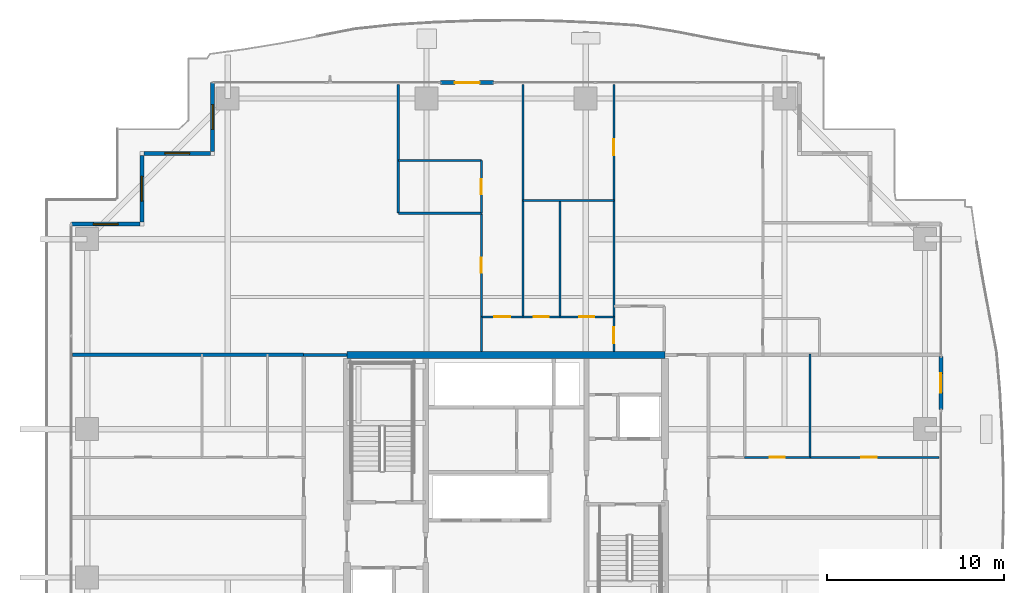
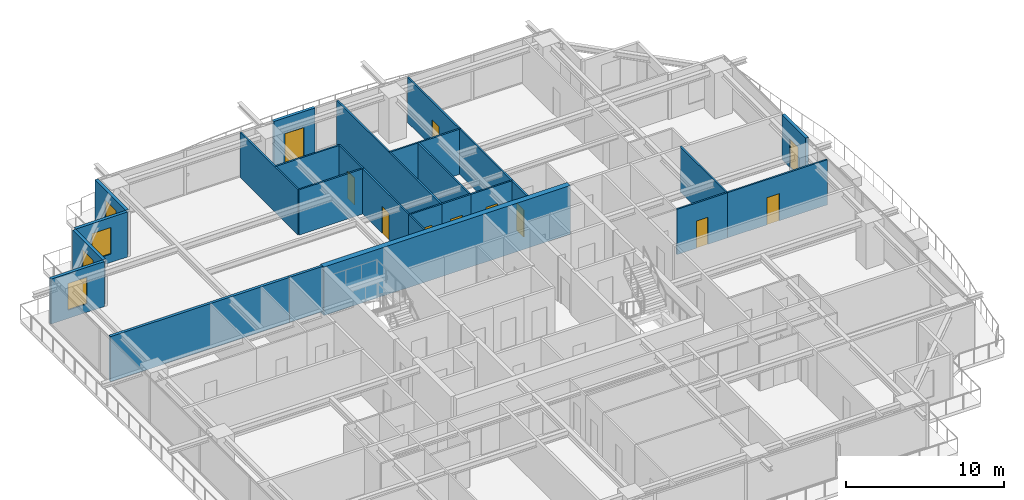
# One storey, part 27 of 34: 27 walls, 11 doors, 4 windows, 15 openings.
"""IFC4 building model written with IfcOpenShell, lengths in metres."""

from ifc_helpers import new_model, si_unit, direction, frame, frame_2d, origin, place, context, subcontext, project, spatial, rectangle, extrude, source, transform, mapped, material, layer, layer_set, type_object, element, fill, save


model = new_model("IFC4")

# Units and contexts
model_context = context("Model", 3, precision=1e-05, world=origin(), true_north=direction((0.0, 1.0)))
body_context = subcontext(model_context, "Body", "Model", "MODEL_VIEW")
ifc_project = project(units=[si_unit("LENGTHUNIT", "METRE"), si_unit("AREAUNIT", "SQUARE_METRE"), si_unit("VOLUMEUNIT", "CUBIC_METRE"), si_unit("PLANEANGLEUNIT", "RADIAN"), si_unit("MASSUNIT", "GRAM", prefix="KILO")], contexts=[model_context])

# Site, building, storey
site_placement = place(None, origin())
site = spatial("IfcSite", under=ifc_project, at=site_placement, CompositionType="ELEMENT")
building_placement = place(site_placement, origin())
building = spatial("IfcBuilding", under=site, at=building_placement, Name="Serunith Strait Residences", CompositionType="ELEMENT")
storey_placement = place(building_placement, frame((0.0, 0.0, 180.14990234375)))
storey = spatial("IfcBuildingStorey", under=building, at=storey_placement, Name="L45", CompositionType="ELEMENT", Elevation=180.14990234375)

# Wall, opening, door
ifc_material_1 = material(Name="Pale-Champagne Aluminium Insulated Panel", Category="aluminium")
ifc_layer_1 = layer(ifc_material_1, 0.219970703125, Name="Pale-Champagne Aluminium Insulated Panel")
ifc_layer_set_1 = layer_set([ifc_layer_1], Name="Pale-Champagne Aluminium Insulated Panel")
wall_type_1 = type_object("IfcWallType", Name="EW-ALUM-220", PredefinedType="ELEMENTEDWALL", material=ifc_layer_set_1)
wall_1_placement = place(storey_placement, frame((57.0, 30.5, 0.0), z_axis=(0.0, 0.0, 1.0), x_axis=(0.0, 1.0, 0.0)))
wall_1 = element("IfcWall", 1, at=wall_1_placement, inside=storey, type_object=wall_type_1, Name="L45 E Facade Pier Wall", PredefinedType="ELEMENTEDWALL", context=body_context, shape_type="SweptSolid", body=[
    extrude(rectangle(XDim=3.0, YDim=0.219970703125, at=frame_2d((1.5, 0.0))), origin(), (0.0, 0.0, 1.0), 3.47509765625),
])
opening_1_placement = place(wall_1_placement, frame((0.949951171875, 0.0, 0.0)))
opening_1 = element("IfcOpeningElement", 2, at=opening_1_placement, cuts=wall_1, Name="Opening ED-03", PredefinedType="OPENING", context=body_context, shape_type="SweptSolid", body=[
    extrude(rectangle(XDim=1.10009765625, YDim=2.199951171875, at=frame_2d((0.550048828125, 1.10009765625))), frame((0.0, 0.1201171875, 0.0), z_axis=(0.0, -1.0, 0.0), x_axis=(1.0, 0.0, 0.0)), (0.0, 0.0, 1.0), 0.239990234375),
])
ifc_material_2 = material(Name="Thermally-Broken Aluminium Glazed Balcony Door", Category="aluminium")
door_type_1 = type_object("IfcDoorType", Name="ED-BALC-1100", OperationType="NOTDEFINED", PredefinedType="DOOR", material=ifc_material_2)
shared_shape_1 = source(origin(), body_context, "Body", "SweptSolid", [
    extrude(rectangle(XDim=1.10009765625, YDim=2.199951171875, at=frame_2d((0.550048828125, 1.10009765625))), frame((0.0, 0.02490234375, 0.0), z_axis=(0.0, -1.0, 0.0), x_axis=(1.0, 0.0, 0.0)), (0.0, 0.0, 1.0), 0.050048828125),
])
door_1_placement = place(opening_1_placement, origin())
door_1 = element("IfcDoor", 3, at=door_1_placement, inside=storey, type_object=door_type_1, Name="L45 E Vertical-Forest Balcony Door", OperationType="SINGLE_SWING_RIGHT", OverallHeight=2.199951171875, OverallWidth=1.10009765625, PredefinedType="DOOR", context=body_context, shape_type="MappedRepresentation", body=[
    mapped(shared_shape_1, transform((0.0, 0.0, 0.0), scale=1.0)),
])
fill(opening_1, door_1)

wall_2_placement = place(storey_placement, frame((31.699951171875, 49.0, 0.0), z_axis=(0.0, 0.0, 1.0), x_axis=(-1.0, 0.0, 0.0)))
wall_2 = element("IfcWall", 4, at=wall_2_placement, inside=storey, type_object=wall_type_1, Name="L45 N Facade Pier Wall", PredefinedType="ELEMENTEDWALL", context=body_context, shape_type="SweptSolid", body=[
    extrude(rectangle(XDim=3.0, YDim=0.219970703125, at=frame_2d((1.5, 0.0))), origin(), (0.0, 0.0, 1.0), 3.47509765625),
])
opening_2_placement = place(wall_2_placement, frame((0.800048828125, 0.0, 0.0)))
opening_2 = element("IfcOpeningElement", 5, at=opening_2_placement, cuts=wall_2, Name="Opening ED-04", PredefinedType="OPENING", context=body_context, shape_type="SweptSolid", body=[
    extrude(rectangle(XDim=1.39990234375, YDim=2.25, at=frame_2d((0.699951171875, 1.125))), frame((0.0, 0.1201171875, 0.0), z_axis=(0.0, -1.0, 0.0), x_axis=(1.0, 0.0, 0.0)), (0.0, 0.0, 1.0), 0.239990234375),
])
ifc_material_3 = material(Name="Thermally-Broken Aluminium Sliding Balcony Door", Category="aluminium")
door_type_2 = type_object("IfcDoorType", Name="ED-BALC-1400", OperationType="NOTDEFINED", PredefinedType="DOOR", material=ifc_material_3)
shared_shape_2 = source(origin(), body_context, "Body", "SweptSolid", [
    extrude(rectangle(XDim=1.39990234375, YDim=2.25, at=frame_2d((0.699951171875, 1.125))), frame((0.0, 0.02490234375, 0.0), z_axis=(0.0, -1.0, 0.0), x_axis=(1.0, 0.0, 0.0)), (0.0, 0.0, 1.0), 0.050048828125),
])
door_2_placement = place(opening_2_placement, origin())
door_2 = element("IfcDoor", 6, at=door_2_placement, inside=storey, type_object=door_type_2, Name="L45 N Vertical-Forest Balcony Door", OperationType="SLIDING_TO_LEFT", OverallHeight=2.25, OverallWidth=1.39990234375, PredefinedType="DOOR", context=body_context, shape_type="MappedRepresentation", body=[
    mapped(shared_shape_2, transform((0.0, 0.0, 0.0), scale=1.0)),
])
fill(opening_2, door_2)

# Wall, opening, window
wall_3_placement = place(storey_placement, frame((15.800048828125, 49.0, 0.0), z_axis=(0.0, 0.0, 1.0), x_axis=(0.0, -1.0, 0.0)))
wall_3 = element("IfcWall", 7, at=wall_3_placement, inside=storey, type_object=wall_type_1, Name="L45 Girih Serrated Corner Wall 12", PredefinedType="ELEMENTEDWALL", context=body_context, shape_type="SweptSolid", body=[
    extrude(rectangle(XDim=3.889892578125, YDim=0.219970703125, at=frame_2d((1.94482421875, 0.0))), origin(), (0.0, 0.0, 1.0), 3.47509765625),
])
opening_3_placement = place(wall_3_placement, frame((1.2451171875, 0.0, 0.64990234375)))
opening_3 = element("IfcOpeningElement", 8, at=opening_3_placement, cuts=wall_3, Name="Opening W-03", PredefinedType="OPENING", context=body_context, shape_type="SweptSolid", body=[
    extrude(rectangle(XDim=1.39990234375, YDim=2.050048828125, at=frame_2d((0.699951171875, 1.02490234375))), frame((0.0, 0.1201171875, 0.0), z_axis=(0.0, -1.0, 0.0), x_axis=(1.0, 0.0, 0.0)), (0.0, 0.0, 1.0), 0.239990234375),
])
ifc_material_4 = material(Name="Ceramic-Fritted Operable Aluminium Window Glass", Category="aluminium")
window_type = type_object("IfcWindowType", Name="WIN-C3", PartitioningType="SINGLE_PANEL", PredefinedType="WINDOW", material=ifc_material_4)
shared_shape_3 = source(origin(), body_context, "Body", "SweptSolid", [
    extrude(rectangle(XDim=1.39990234375, YDim=2.050048828125, at=frame_2d((0.699951171875, 1.02490234375))), frame((0.0, 0.030029296875, 0.0), z_axis=(0.0, -1.0, 0.0), x_axis=(1.0, 0.0, 0.0)), (0.0, 0.0, 1.0), 0.06005859375),
])
window_1_placement = place(opening_3_placement, origin())
window_1 = element("IfcWindow", 9, at=window_1_placement, inside=storey, type_object=window_type, Name="L45 Corner Operable Fritted Window 12", OverallHeight=2.050048828125, OverallWidth=1.39990234375, PartitioningType="SINGLE_PANEL", PredefinedType="WINDOW", context=body_context, shape_type="MappedRepresentation", body=[
    mapped(shared_shape_3, transform((0.0, 0.0, 0.0), scale=1.0)),
])
fill(opening_3, window_1)

wall_4_placement = place(storey_placement, frame((15.68994140625, 45.0, 0.0), z_axis=(0.0, 0.0, 1.0), x_axis=(-1.0, 0.0, 0.0)))
wall_4 = element("IfcWall", 10, at=wall_4_placement, inside=storey, type_object=wall_type_1, Name="L45 Girih Serrated Corner Wall 13", PredefinedType="ELEMENTEDWALL", context=body_context, shape_type="SweptSolid", body=[
    extrude(rectangle(XDim=3.780029296875, YDim=0.219970703125, at=frame_2d((1.89013671875, 0.0))), origin(), (0.0, 0.0, 1.0), 3.47509765625),
])
opening_4_placement = place(wall_4_placement, frame((1.18994140625, 0.0, 0.64990234375)))
opening_4 = element("IfcOpeningElement", 11, at=opening_4_placement, cuts=wall_4, Name="Opening W-03", PredefinedType="OPENING", context=body_context, shape_type="SweptSolid", body=[
    extrude(rectangle(XDim=1.39990234375, YDim=2.050048828125, at=frame_2d((0.699951171875, 1.02490234375))), frame((0.0, 0.1201171875, 0.0), z_axis=(0.0, -1.0, 0.0), x_axis=(1.0, 0.0, 0.0)), (0.0, 0.0, 1.0), 0.239990234375),
])
window_2_placement = place(opening_4_placement, origin())
window_2 = element("IfcWindow", 12, at=window_2_placement, inside=storey, type_object=window_type, Name="L45 Corner Operable Fritted Window 13", OverallHeight=2.050048828125, OverallWidth=1.39990234375, PartitioningType="SINGLE_PANEL", PredefinedType="WINDOW", context=body_context, shape_type="MappedRepresentation", body=[
    mapped(shared_shape_3, transform((0.0, 0.0, 0.0), scale=1.0)),
])
fill(opening_4, window_2)

wall_5_placement = place(storey_placement, frame((11.800048828125, 44.889892578125, 0.0), z_axis=(0.0, 0.0, 1.0), x_axis=(0.0, -1.0, 0.0)))
wall_5 = element("IfcWall", 13, at=wall_5_placement, inside=storey, type_object=wall_type_1, Name="L45 Girih Serrated Corner Wall 14", PredefinedType="ELEMENTEDWALL", context=body_context, shape_type="SweptSolid", body=[
    extrude(rectangle(XDim=3.77978515625, YDim=0.219970703125, at=frame_2d((1.889892578125, 0.0))), origin(), (0.0, 0.0, 1.0), 3.47509765625),
])
opening_5_placement = place(wall_5_placement, frame((1.18994140625, 0.0, 0.64990234375)))
opening_5 = element("IfcOpeningElement", 14, at=opening_5_placement, cuts=wall_5, Name="Opening W-03", PredefinedType="OPENING", context=body_context, shape_type="SweptSolid", body=[
    extrude(rectangle(XDim=1.39990234375, YDim=2.050048828125, at=frame_2d((0.699951171875, 1.02490234375))), frame((0.0, 0.1201171875, 0.0), z_axis=(0.0, -1.0, 0.0), x_axis=(1.0, 0.0, 0.0)), (0.0, 0.0, 1.0), 0.239990234375),
])
window_3_placement = place(opening_5_placement, origin())
window_3 = element("IfcWindow", 15, at=window_3_placement, inside=storey, type_object=window_type, Name="L45 Corner Operable Fritted Window 14", OverallHeight=2.050048828125, OverallWidth=1.39990234375, PartitioningType="SINGLE_PANEL", PredefinedType="WINDOW", context=body_context, shape_type="MappedRepresentation", body=[
    mapped(shared_shape_3, transform((0.0, 0.0, 0.0), scale=1.0)),
])
fill(opening_5, window_3)

wall_6_placement = place(storey_placement, frame((11.68994140625, 41.0, 0.0), z_axis=(0.0, 0.0, 1.0), x_axis=(-1.0, 0.0, 0.0)))
wall_6 = element("IfcWall", 16, at=wall_6_placement, inside=storey, type_object=wall_type_1, Name="L45 Girih Serrated Corner Wall 15", PredefinedType="ELEMENTEDWALL", context=body_context, shape_type="SweptSolid", body=[
    extrude(rectangle(XDim=3.889892578125, YDim=0.219970703125, at=frame_2d((1.94482421875, 0.0))), origin(), (0.0, 0.0, 1.0), 3.47509765625),
])
opening_6_placement = place(wall_6_placement, frame((1.2451171875, 0.0, 0.64990234375)))
opening_6 = element("IfcOpeningElement", 17, at=opening_6_placement, cuts=wall_6, Name="Opening W-03", PredefinedType="OPENING", context=body_context, shape_type="SweptSolid", body=[
    extrude(rectangle(XDim=1.39990234375, YDim=2.050048828125, at=frame_2d((0.699951171875, 1.02490234375))), frame((0.0, 0.1201171875, 0.0), z_axis=(0.0, -1.0, 0.0), x_axis=(1.0, 0.0, 0.0)), (0.0, 0.0, 1.0), 0.239990234375),
])
window_4_placement = place(opening_6_placement, origin())
window_4 = element("IfcWindow", 18, at=window_4_placement, inside=storey, type_object=window_type, Name="L45 Corner Operable Fritted Window 15", OverallHeight=2.050048828125, OverallWidth=1.39990234375, PartitioningType="SINGLE_PANEL", PredefinedType="WINDOW", context=body_context, shape_type="MappedRepresentation", body=[
    mapped(shared_shape_3, transform((0.0, 0.0, 0.0), scale=1.0)),
])
fill(opening_6, window_4)

# Wall
ifc_material_5 = material(Name="Fire-rated acoustic gypsum partition")
ifc_layer_2 = layer(ifc_material_5, 0.179931640625, Name="Fire-rated acoustic gypsum partition")
ifc_layer_set_2 = layer_set([ifc_layer_2], Name="Fire-rated acoustic gypsum partition")
wall_type_2 = type_object("IfcWallType", Name="IW-CORR-180", PredefinedType="PARTITIONING", material=ifc_layer_set_2)
wall_7_placement = place(storey_placement, frame((20.951904296875, 33.60009765625, 0.0), z_axis=(0.0, 0.0, 1.0), x_axis=(1.0, 0.0, 0.0)))
element("IfcWall", 19, at=wall_7_placement, inside=storey, type_object=wall_type_2, Name="L45 Partition Wall 029", PredefinedType="PARTITIONING", context=body_context, shape_type="SweptSolid", body=[
    extrude(rectangle(XDim=2.446044921875, YDim=0.179931640625, at=frame_2d((1.22314453125, 0.0))), origin(), (0.0, 0.0, 1.0), 3.489990234375),
])

# Wall, opening, door
ifc_material_6 = material(Name="Lightweight steel-stud gypsum partition", Category="steel")
ifc_layer_3 = layer(ifc_material_6, 0.1201171875, Name="Lightweight steel-stud gypsum partition")
ifc_layer_set_3 = layer_set([ifc_layer_3], Name="Lightweight steel-stud gypsum partition")
wall_type_3 = type_object("IfcWallType", Name="IW-PART-120", PredefinedType="PARTITIONING", material=ifc_layer_set_3)
wall_8_placement = place(storey_placement, frame((38.5, 35.75, 0.0), z_axis=(0.0, 0.0, 1.0), x_axis=(0.0, -1.0, 0.0)))
wall_8 = element("IfcWall", 20, at=wall_8_placement, inside=storey, type_object=wall_type_3, Name="L45 Partition Wall 056", PredefinedType="PARTITIONING", context=body_context, shape_type="SweptSolid", body=[
    extrude(rectangle(XDim=1.949951171875, YDim=0.1201171875, at=frame_2d((0.97509765625, 0.0))), origin(), (0.0, 0.0, 1.0), 3.489990234375),
])
opening_7_placement = place(wall_8_placement, frame((0.594970703125, 0.0, 0.0)))
opening_7 = element("IfcOpeningElement", 21, at=opening_7_placement, cuts=wall_8, Name="Opening D-RM900", PredefinedType="OPENING", context=body_context, shape_type="SweptSolid", body=[
    extrude(rectangle(XDim=0.89990234375, YDim=2.10009765625, at=frame_2d((0.449951171875, 1.050048828125))), frame((0.0, 0.070068359375, 0.0), z_axis=(0.0, -1.0, 0.0), x_axis=(1.0, 0.0, 0.0)), (0.0, 0.0, 1.0), 0.14013671875),
])
ifc_material_7 = material(Name="Engineered timber flush bedroom door", Category="wood")
door_type_3 = type_object("IfcDoorType", Name="ID-ROOM-900", OperationType="NOTDEFINED", PredefinedType="DOOR", material=ifc_material_7)
shared_shape_4 = source(origin(), body_context, "Body", "SweptSolid", [
    extrude(rectangle(XDim=0.89990234375, YDim=2.10009765625, at=frame_2d((0.449951171875, 1.050048828125))), frame((0.0, 0.02490234375, 0.0), z_axis=(0.0, -1.0, 0.0), x_axis=(1.0, 0.0, 0.0)), (0.0, 0.0, 1.0), 0.050048828125),
])
door_3_placement = place(opening_7_placement, origin())
door_3 = element("IfcDoor", 22, at=door_3_placement, inside=storey, type_object=door_type_3, Name="L45 Hall W 4504 Door", OperationType="SINGLE_SWING_RIGHT", OverallHeight=2.10009765625, OverallWidth=0.89990234375, PredefinedType="DOOR", context=body_context, shape_type="MappedRepresentation", body=[
    mapped(shared_shape_4, transform((0.0, 0.0, 0.0), scale=1.0)),
])
fill(opening_7, door_3)

wall_9_placement = place(storey_placement, frame((38.5, 48.905029296875, 0.0), z_axis=(0.0, 0.0, 1.0), x_axis=(0.0, -1.0, 0.0)))
wall_9 = element("IfcWall", 23, at=wall_9_placement, inside=storey, type_object=wall_type_3, Name="L45 Partition Wall 057", PredefinedType="PARTITIONING", context=body_context, shape_type="SweptSolid", body=[
    extrude(rectangle(XDim=6.568115234375, YDim=0.1201171875, at=frame_2d((3.2841796875, 0.0))), origin(), (0.0, 0.0, 1.0), 3.489990234375),
])
opening_8_placement = place(wall_9_placement, frame((3.116943359375, 0.0, 0.0)))
opening_8 = element("IfcOpeningElement", 24, at=opening_8_placement, cuts=wall_9, Name="Opening D-RM900", PredefinedType="OPENING", context=body_context, shape_type="SweptSolid", body=[
    extrude(rectangle(XDim=0.89990234375, YDim=2.10009765625, at=frame_2d((0.449951171875, 1.050048828125))), frame((0.0, 0.070068359375, 0.0), z_axis=(0.0, -1.0, 0.0), x_axis=(1.0, 0.0, 0.0)), (0.0, 0.0, 1.0), 0.14013671875),
])
door_4_placement = place(opening_8_placement, origin())
door_4 = element("IfcDoor", 25, at=door_4_placement, inside=storey, type_object=door_type_3, Name="L45 Formal Dining Room 1 4504 Door", OperationType="SINGLE_SWING_LEFT", OverallHeight=2.10009765625, OverallWidth=0.89990234375, PredefinedType="DOOR", context=body_context, shape_type="MappedRepresentation", body=[
    mapped(shared_shape_4, transform((0.0, 0.0, 0.0), scale=1.0)),
])
fill(opening_8, door_4)

# Walls
wall_10_placement = place(storey_placement, frame((38.5, 42.3349609375, 0.0), z_axis=(0.0, 0.0, 1.0), x_axis=(0.0, -1.0, 0.0)))
element("IfcWall", 26, at=wall_10_placement, inside=storey, type_object=wall_type_3, Name="L45 Partition Wall 058", PredefinedType="PARTITIONING", context=body_context, shape_type="SweptSolid", body=[
    extrude(rectangle(XDim=6.5830078125, YDim=0.1201171875, at=frame_2d((3.29150390625, 0.0))), origin(), (0.0, 0.0, 1.0), 3.489990234375),
])
wall_11_placement = place(storey_placement, frame((33.35009765625, 42.3369140625, 0.0), z_axis=(0.0, 0.0, 1.0), x_axis=(1.0, 0.0, 0.0)))
element("IfcWall", 27, at=wall_11_placement, inside=storey, type_object=wall_type_3, Name="L45 Partition Wall 059", PredefinedType="PARTITIONING", context=body_context, shape_type="SweptSolid", body=[
    extrude(rectangle(XDim=5.14990234375, YDim=0.1201171875, at=frame_2d((2.574951171875, 0.0))), origin(), (0.0, 0.0, 1.0), 3.489990234375),
])
wall_12_placement = place(storey_placement, frame((33.35009765625, 48.905029296875, 0.0), z_axis=(0.0, 0.0, 1.0), x_axis=(0.0, -1.0, 0.0)))
element("IfcWall", 28, at=wall_12_placement, inside=storey, type_object=wall_type_3, Name="L45 Partition Wall 060", PredefinedType="PARTITIONING", context=body_context, shape_type="SweptSolid", body=[
    extrude(rectangle(XDim=13.155029296875, YDim=0.1201171875, at=frame_2d((6.57763671875, 0.0))), origin(), (0.0, 0.0, 1.0), 3.489990234375),
])
wall_13_placement = place(storey_placement, frame((35.449951171875, 42.3369140625, 0.0), z_axis=(0.0, 0.0, 1.0), x_axis=(0.0, -1.0, 0.0)))
element("IfcWall", 29, at=wall_13_placement, inside=storey, type_object=wall_type_3, Name="L45 Partition Wall 061", PredefinedType="PARTITIONING", context=body_context, shape_type="SweptSolid", body=[
    extrude(rectangle(XDim=6.5869140625, YDim=0.1201171875, at=frame_2d((3.29345703125, 0.0))), origin(), (0.0, 0.0, 1.0), 3.489990234375),
])

# Wall, opening, door
wall_14_placement = place(storey_placement, frame((33.35009765625, 35.75, 0.0), z_axis=(0.0, 0.0, 1.0), x_axis=(1.0, 0.0, 0.0)))
wall_14 = element("IfcWall", 30, at=wall_14_placement, inside=storey, type_object=wall_type_3, Name="L45 Partition Wall 062", PredefinedType="PARTITIONING", context=body_context, shape_type="SweptSolid", body=[
    extrude(rectangle(XDim=2.099853515625, YDim=0.1201171875, at=frame_2d((1.0498046875, 0.0))), origin(), (0.0, 0.0, 1.0), 3.489990234375),
])
opening_9_placement = place(wall_14_placement, frame((0.625, 0.0, 0.0)))
opening_9 = element("IfcOpeningElement", 31, at=opening_9_placement, cuts=wall_14, Name="Opening D-BTH850", PredefinedType="OPENING", context=body_context, shape_type="SweptSolid", body=[
    extrude(rectangle(XDim=0.85009765625, YDim=2.10009765625, at=frame_2d((0.425048828125, 1.050048828125))), frame((0.0, 0.070068359375, 0.0), z_axis=(0.0, -1.0, 0.0), x_axis=(1.0, 0.0, 0.0)), (0.0, 0.0, 1.0), 0.14013671875),
])
ifc_material_8 = material(Name="Moisture-resistant timber bathroom door", Category="wood")
door_type_4 = type_object("IfcDoorType", Name="ID-BATH-850", OperationType="NOTDEFINED", PredefinedType="DOOR", material=ifc_material_8)
shared_shape_5 = source(origin(), body_context, "Body", "SweptSolid", [
    extrude(rectangle(XDim=0.85009765625, YDim=2.10009765625, at=frame_2d((0.425048828125, 1.050048828125))), frame((0.0, 0.02490234375, 0.0), z_axis=(0.0, -1.0, 0.0), x_axis=(1.0, 0.0, 0.0)), (0.0, 0.0, 1.0), 0.050048828125),
])
door_5_placement = place(opening_9_placement, origin())
door_5 = element("IfcDoor", 32, at=door_5_placement, inside=storey, type_object=door_type_4, Name="L45 Bathroom 4504 Door", OperationType="SINGLE_SWING_RIGHT", OverallHeight=2.10009765625, OverallWidth=0.85009765625, PredefinedType="DOOR", context=body_context, shape_type="MappedRepresentation", body=[
    mapped(shared_shape_5, transform((0.0, 0.0, 0.0), scale=1.0)),
])
fill(opening_9, door_5)

wall_15_placement = place(storey_placement, frame((35.451904296875, 35.75, 0.0), z_axis=(0.0, 0.0, 1.0), x_axis=(1.0, 0.0, 0.0)))
wall_15 = element("IfcWall", 33, at=wall_15_placement, inside=storey, type_object=wall_type_3, Name="L45 Partition Wall 063", PredefinedType="PARTITIONING", context=body_context, shape_type="SweptSolid", body=[
    extrude(rectangle(XDim=3.048095703125, YDim=0.1201171875, at=frame_2d((1.52392578125, 0.0))), origin(), (0.0, 0.0, 1.0), 3.489990234375),
])
opening_10_placement = place(wall_15_placement, frame((1.09912109375, 0.0, 0.0)))
opening_10 = element("IfcOpeningElement", 34, at=opening_10_placement, cuts=wall_15, Name="Opening D-RM850", PredefinedType="OPENING", context=body_context, shape_type="SweptSolid", body=[
    extrude(rectangle(XDim=0.85009765625, YDim=2.10009765625, at=frame_2d((0.425048828125, 1.050048828125))), frame((0.0, 0.070068359375, 0.0), z_axis=(0.0, -1.0, 0.0), x_axis=(1.0, 0.0, 0.0)), (0.0, 0.0, 1.0), 0.14013671875),
])
ifc_material_9 = material(Name="Engineered timber flush study and kitchen door", Category="wood")
door_type_5 = type_object("IfcDoorType", Name="ID-ROOM-850", OperationType="NOTDEFINED", PredefinedType="DOOR", material=ifc_material_9)
door_6_placement = place(opening_10_placement, origin())
door_6 = element("IfcDoor", 35, at=door_6_placement, inside=storey, type_object=door_type_5, Name="L45 Formal Dining Room 4504 Door", OperationType="SINGLE_SWING_LEFT", OverallHeight=2.10009765625, OverallWidth=0.85009765625, PredefinedType="DOOR", context=body_context, shape_type="MappedRepresentation", body=[
    mapped(shared_shape_5, transform((0.0, 0.0, 0.0), scale=1.0)),
])
fill(opening_10, door_6)

wall_16_placement = place(storey_placement, frame((31.0, 35.75, 0.0), z_axis=(0.0, 0.0, 1.0), x_axis=(1.0, 0.0, 0.0)))
wall_16 = element("IfcWall", 36, at=wall_16_placement, inside=storey, type_object=wall_type_3, Name="L45 Partition Wall 064", PredefinedType="PARTITIONING", context=body_context, shape_type="SweptSolid", body=[
    extrude(rectangle(XDim=2.347900390625, YDim=0.1201171875, at=frame_2d((1.173828125, 0.0))), origin(), (0.0, 0.0, 1.0), 3.489990234375),
])
opening_11_placement = place(wall_16_placement, frame((0.72412109375, 0.0, 0.0)))
opening_11 = element("IfcOpeningElement", 37, at=opening_11_placement, cuts=wall_16, Name="Opening D-RM900", PredefinedType="OPENING", context=body_context, shape_type="SweptSolid", body=[
    extrude(rectangle(XDim=0.89990234375, YDim=2.10009765625, at=frame_2d((0.449951171875, 1.050048828125))), frame((0.0, 0.070068359375, 0.0), z_axis=(0.0, -1.0, 0.0), x_axis=(1.0, 0.0, 0.0)), (0.0, 0.0, 1.0), 0.14013671875),
])
door_7_placement = place(opening_11_placement, origin())
door_7 = element("IfcDoor", 38, at=door_7_placement, inside=storey, type_object=door_type_3, Name="L45 Master Bedroom W 4504 Door", OperationType="SINGLE_SWING_RIGHT", OverallHeight=2.10009765625, OverallWidth=0.89990234375, PredefinedType="DOOR", context=body_context, shape_type="MappedRepresentation", body=[
    mapped(shared_shape_4, transform((0.0, 0.0, 0.0), scale=1.0)),
])
fill(opening_11, door_7)

# Walls
wall_17_placement = place(storey_placement, frame((26.300048828125, 44.592041015625, 0.0), z_axis=(0.0, 0.0, 1.0), x_axis=(1.0, 0.0, 0.0)))
element("IfcWall", 39, at=wall_17_placement, inside=storey, type_object=wall_type_3, Name="L45 Partition Wall 065", PredefinedType="PARTITIONING", context=body_context, shape_type="SweptSolid", body=[
    extrude(rectangle(XDim=4.699951171875, YDim=0.1201171875, at=frame_2d((2.35009765625, 0.0))), origin(), (0.0, 0.0, 1.0), 3.489990234375),
])
wall_18_placement = place(storey_placement, frame((26.300048828125, 48.905029296875, 0.0), z_axis=(0.0, 0.0, 1.0), x_axis=(0.0, -1.0, 0.0)))
element("IfcWall", 40, at=wall_18_placement, inside=storey, type_object=wall_type_3, Name="L45 Partition Wall 066", PredefinedType="PARTITIONING", context=body_context, shape_type="SweptSolid", body=[
    extrude(rectangle(XDim=7.2919921875, YDim=0.1201171875, at=frame_2d((3.64599609375, 0.0))), origin(), (0.0, 0.0, 1.0), 3.489990234375),
])
wall_19_placement = place(storey_placement, frame((26.300048828125, 41.613037109375, 0.0), z_axis=(0.0, 0.0, 1.0), x_axis=(1.0, 0.0, 0.0)))
element("IfcWall", 41, at=wall_19_placement, inside=storey, type_object=wall_type_3, Name="L45 Partition Wall 067", PredefinedType="PARTITIONING", context=body_context, shape_type="SweptSolid", body=[
    extrude(rectangle(XDim=4.699951171875, YDim=0.1201171875, at=frame_2d((2.35009765625, 0.0))), origin(), (0.0, 0.0, 1.0), 3.489990234375),
])

# Wall, opening, door
wall_20_placement = place(storey_placement, frame((31.0, 44.592041015625, 0.0), z_axis=(0.0, 0.0, 1.0), x_axis=(0.0, -1.0, 0.0)))
wall_20 = element("IfcWall", 42, at=wall_20_placement, inside=storey, type_object=wall_type_3, Name="L45 Partition Wall 068", PredefinedType="PARTITIONING", context=body_context, shape_type="SweptSolid", body=[
    extrude(rectangle(XDim=2.97900390625, YDim=0.1201171875, at=frame_2d((1.489501953125, 0.0))), origin(), (0.0, 0.0, 1.0), 3.489990234375),
])
opening_12_placement = place(wall_20_placement, frame((1.06396484375, 0.0, 0.0)))
opening_12 = element("IfcOpeningElement", 43, at=opening_12_placement, cuts=wall_20, Name="Opening D-BTH850", PredefinedType="OPENING", context=body_context, shape_type="SweptSolid", body=[
    extrude(rectangle(XDim=0.85009765625, YDim=2.10009765625, at=frame_2d((0.425048828125, 1.050048828125))), frame((0.0, 0.070068359375, 0.0), z_axis=(0.0, -1.0, 0.0), x_axis=(1.0, 0.0, 0.0)), (0.0, 0.0, 1.0), 0.14013671875),
])
door_8_placement = place(opening_12_placement, origin())
door_8 = element("IfcDoor", 44, at=door_8_placement, inside=storey, type_object=door_type_4, Name="L45 En-suite Bathroom W 4504 Door", OperationType="SINGLE_SWING_LEFT", OverallHeight=2.10009765625, OverallWidth=0.85009765625, PredefinedType="DOOR", context=body_context, shape_type="MappedRepresentation", body=[
    mapped(shared_shape_5, transform((0.0, 0.0, 0.0), scale=1.0)),
])
fill(opening_12, door_8)

wall_21_placement = place(storey_placement, frame((31.0, 41.611083984375, 0.0), z_axis=(0.0, 0.0, 1.0), x_axis=(0.0, -1.0, 0.0)))
wall_21 = element("IfcWall", 45, at=wall_21_placement, inside=storey, type_object=wall_type_3, Name="L45 Partition Wall 069", PredefinedType="PARTITIONING", context=body_context, shape_type="SweptSolid", body=[
    extrude(rectangle(XDim=5.861083984375, YDim=0.1201171875, at=frame_2d((2.9306640625, 0.0))), origin(), (0.0, 0.0, 1.0), 3.489990234375),
])
opening_13_placement = place(wall_21_placement, frame((2.5048828125, 0.0, 0.0)))
opening_13 = element("IfcOpeningElement", 46, at=opening_13_placement, cuts=wall_21, Name="Opening D-RM850", PredefinedType="OPENING", context=body_context, shape_type="SweptSolid", body=[
    extrude(rectangle(XDim=0.85009765625, YDim=2.10009765625, at=frame_2d((0.425048828125, 1.050048828125))), frame((0.0, 0.070068359375, 0.0), z_axis=(0.0, -1.0, 0.0), x_axis=(1.0, 0.0, 0.0)), (0.0, 0.0, 1.0), 0.14013671875),
])
door_9_placement = place(opening_13_placement, origin())
door_9 = element("IfcDoor", 47, at=door_9_placement, inside=storey, type_object=door_type_5, Name="L45 Wardrobe W 4504 Door", OperationType="SINGLE_SWING_RIGHT", OverallHeight=2.10009765625, OverallWidth=0.85009765625, PredefinedType="DOOR", context=body_context, shape_type="MappedRepresentation", body=[
    mapped(shared_shape_5, transform((0.0, 0.0, 0.0), scale=1.0)),
])
fill(opening_13, door_9)

# Wall
wall_22_placement = place(storey_placement, frame((31.0, 35.748046875, 0.0), z_axis=(0.0, 0.0, 1.0), x_axis=(0.0, -1.0, 0.0)))
element("IfcWall", 48, at=wall_22_placement, inside=storey, type_object=wall_type_3, Name="L45 Partition Wall 070", PredefinedType="PARTITIONING", context=body_context, shape_type="SweptSolid", body=[
    extrude(rectangle(XDim=1.947998046875, YDim=0.1201171875, at=frame_2d((0.97412109375, 0.0))), origin(), (0.0, 0.0, 1.0), 3.489990234375),
])

# Wall, opening, door
wall_23_placement = place(storey_placement, frame((56.905029296875, 27.800048828125, 0.0), z_axis=(0.0, 0.0, 1.0), x_axis=(-1.0, 0.0, 0.0)))
wall_23 = element("IfcWall", 49, at=wall_23_placement, inside=storey, type_object=wall_type_3, Name="L45 Partition Wall 090", PredefinedType="PARTITIONING", context=body_context, shape_type="SweptSolid", body=[
    extrude(rectangle(XDim=7.302978515625, YDim=0.1201171875, at=frame_2d((3.6513671875, 0.0))), origin(), (0.0, 0.0, 1.0), 3.489990234375),
])
opening_14_placement = place(wall_23_placement, frame((3.52197265625, 0.0, 0.0)))
opening_14 = element("IfcOpeningElement", 50, at=opening_14_placement, cuts=wall_23, Name="Opening D-RM900", PredefinedType="OPENING", context=body_context, shape_type="SweptSolid", body=[
    extrude(rectangle(XDim=0.89990234375, YDim=2.10009765625, at=frame_2d((0.449951171875, 1.050048828125))), frame((0.0, 0.070068359375, 0.0), z_axis=(0.0, -1.0, 0.0), x_axis=(1.0, 0.0, 0.0)), (0.0, 0.0, 1.0), 0.14013671875),
])
door_10_placement = place(opening_14_placement, origin())
door_10 = element("IfcDoor", 51, at=door_10_placement, inside=storey, type_object=door_type_3, Name="L45 Master Bedroom 1 4508 Door", OperationType="SINGLE_SWING_LEFT", OverallHeight=2.10009765625, OverallWidth=0.89990234375, PredefinedType="DOOR", context=body_context, shape_type="MappedRepresentation", body=[
    mapped(shared_shape_4, transform((0.0, 0.0, 0.0), scale=1.0)),
])
fill(opening_14, door_10)

# Wall
wall_24_placement = place(storey_placement, frame((49.60205078125, 27.800048828125, 0.0), z_axis=(0.0, 0.0, 1.0), x_axis=(0.0, 1.0, 0.0)))
element("IfcWall", 52, at=wall_24_placement, inside=storey, type_object=wall_type_3, Name="L45 Partition Wall 091", PredefinedType="PARTITIONING", context=body_context, shape_type="SweptSolid", body=[
    extrude(rectangle(XDim=5.85986328125, YDim=0.1201171875, at=frame_2d((2.929931640625, 0.0))), origin(), (0.0, 0.0, 1.0), 3.489990234375),
])

# Wall, opening, door
wall_25_placement = place(storey_placement, frame((49.60009765625, 27.800048828125, 0.0), z_axis=(0.0, 0.0, 1.0), x_axis=(-1.0, 0.0, 0.0)))
wall_25 = element("IfcWall", 53, at=wall_25_placement, inside=storey, type_object=wall_type_3, Name="L45 Partition Wall 093", PredefinedType="PARTITIONING", context=body_context, shape_type="SweptSolid", body=[
    extrude(rectangle(XDim=3.7001953125, YDim=0.1201171875, at=frame_2d((1.85009765625, 0.0))), origin(), (0.0, 0.0, 1.0), 3.489990234375),
])
opening_15_placement = place(wall_25_placement, frame((1.425048828125, 0.0, 0.0)))
opening_15 = element("IfcOpeningElement", 54, at=opening_15_placement, cuts=wall_25, Name="Opening D-RM850", PredefinedType="OPENING", context=body_context, shape_type="SweptSolid", body=[
    extrude(rectangle(XDim=0.85009765625, YDim=2.10009765625, at=frame_2d((0.425048828125, 1.050048828125))), frame((0.0, 0.070068359375, 0.0), z_axis=(0.0, -1.0, 0.0), x_axis=(1.0, 0.0, 0.0)), (0.0, 0.0, 1.0), 0.14013671875),
])
door_11_placement = place(opening_15_placement, origin())
door_11 = element("IfcDoor", 55, at=door_11_placement, inside=storey, type_object=door_type_5, Name="L45 Kitchen 4508 Door", OperationType="SINGLE_SWING_RIGHT", OverallHeight=2.10009765625, OverallWidth=0.85009765625, PredefinedType="DOOR", context=body_context, shape_type="MappedRepresentation", body=[
    mapped(shared_shape_5, transform((0.0, 0.0, 0.0), scale=1.0)),
])
fill(opening_15, door_11)

# Walls
ifc_material_10 = material(Name="Twin-stud acoustic gypsum board partition")
ifc_layer_4 = layer(ifc_material_10, 0.199951171875, Name="Twin-stud acoustic gypsum board partition")
ifc_layer_set_4 = layer_set([ifc_layer_4], Name="Twin-stud acoustic gypsum board partition")
wall_type_4 = type_object("IfcWallType", Name="IW-PARTY-200", PredefinedType="PARTITIONING", material=ifc_layer_set_4)
wall_26_placement = place(storey_placement, frame((7.882080078125, 33.60009765625, 0.0), z_axis=(0.0, 0.0, 1.0), x_axis=(1.0, 0.0, 0.0)))
element("IfcWall", 56, at=wall_26_placement, inside=storey, type_object=wall_type_4, Name="L45 Partition Wall 024", PredefinedType="PARTITIONING", context=body_context, shape_type="SweptSolid", body=[
    extrude(rectangle(XDim=13.06787109375, YDim=0.199951171875, at=frame_2d((6.533935546875, 0.0))), origin(), (0.0, 0.0, 1.0), 3.489990234375),
])
ifc_material_11 = material(Name="Concrete C70/85", Category="concrete")
ifc_layer_5 = layer(ifc_material_11, 0.39990234375, Name="Concrete C70/85")
ifc_layer_set_5 = layer_set([ifc_layer_5], Name="Concrete C70/85")
wall_type_5 = type_object("IfcWallType", Name="SW-400-C70", PredefinedType="SHEAR", material=ifc_layer_set_5)
wall_27_placement = place(storey_placement, frame((41.39990234375, 33.60009765625, -0.260009765625), z_axis=(0.0, 0.0, 1.0), x_axis=(-1.0, 0.0, 0.0)))
element("IfcWall", 57, at=wall_27_placement, inside=storey, type_object=wall_type_5, Name="L45 Core North Shear Wall", PredefinedType="SHEAR", context=body_context, shape_type="SweptSolid", body=[
    extrude(rectangle(XDim=18.0, YDim=0.39990234375, at=frame_2d((9.0, 0.0))), origin(), (0.0, 0.0, 1.0), 3.748046875),
])

save(model, "model.ifc")
